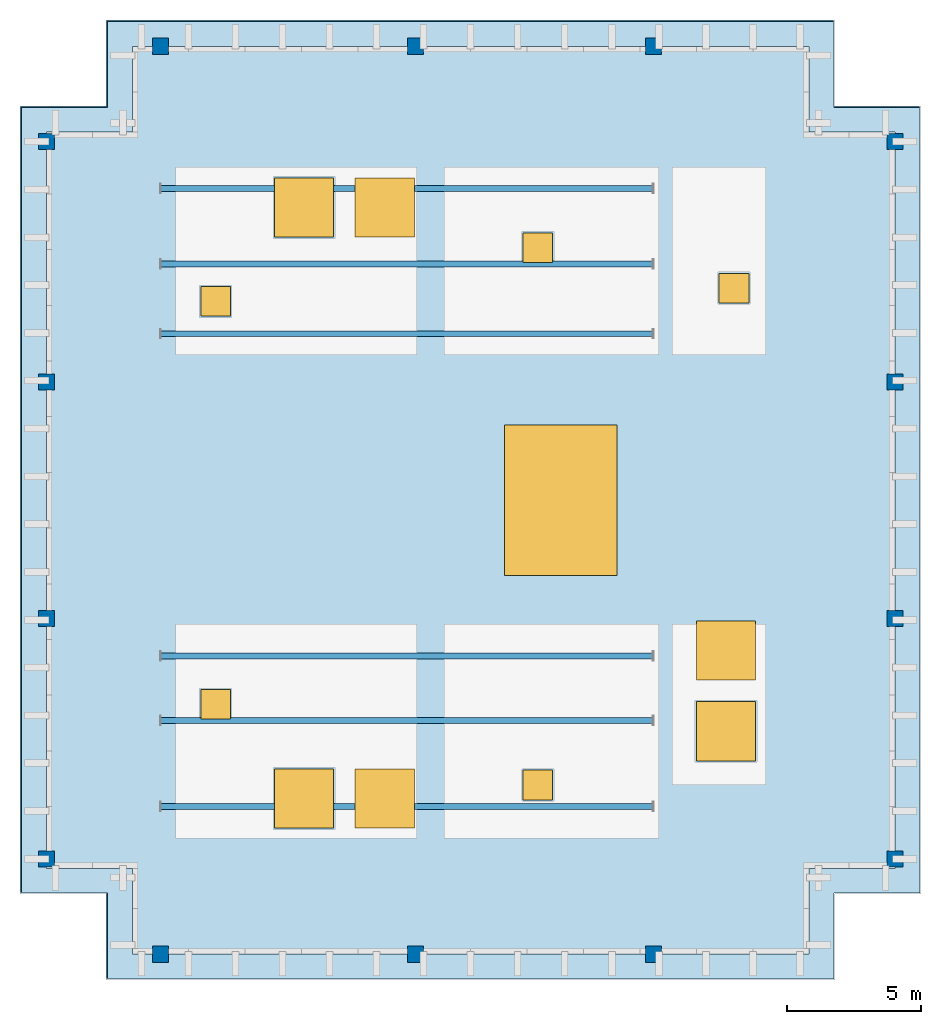
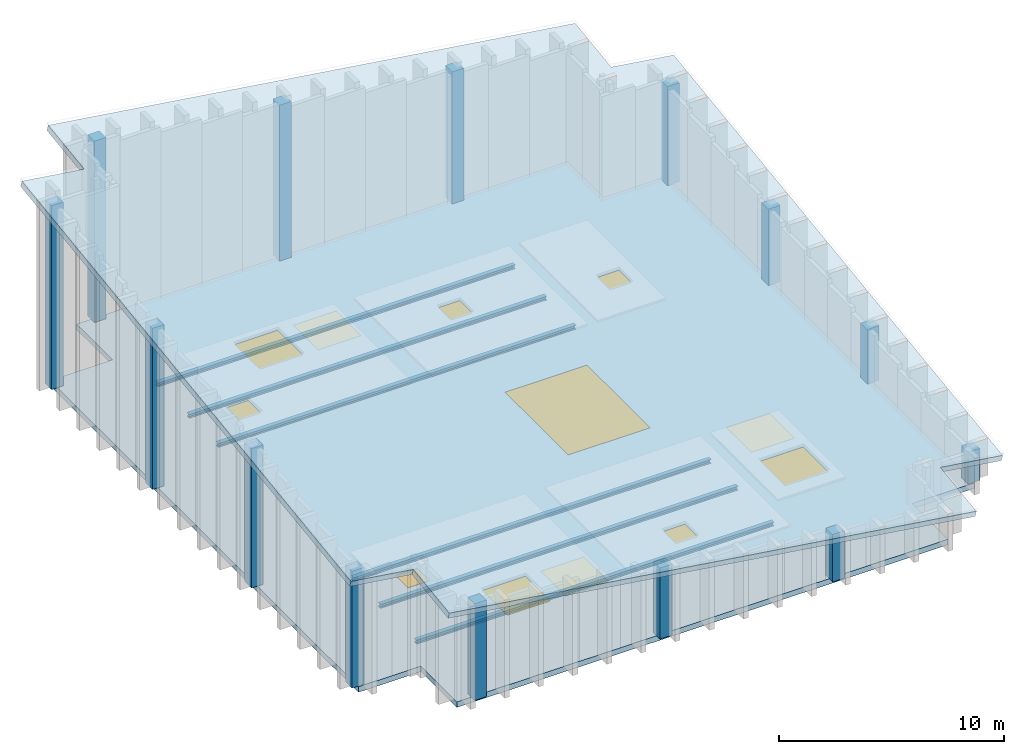
"""IFC4 building model written with IfcOpenShell, lengths in metres."""

from ifc_helpers import new_model, si_unit, direction, frame, origin, origin_2d, place, context, subcontext, project, spatial, polyline, rectangle, i_section, outline, extrude, material, layer, layer_set, material_profile, profile_set, type_object, element, fill, save


model = new_model("IFC4")

# Units and contexts
model_context = context("Model", 3, precision=1e-05, world=origin(), true_north=direction((0.0, 1.0)))
body_context = subcontext(model_context, "Body", "Model", "MODEL_VIEW")
ifc_project = project(units=[si_unit("LENGTHUNIT", "METRE"), si_unit("AREAUNIT", "SQUARE_METRE"), si_unit("VOLUMEUNIT", "CUBIC_METRE"), si_unit("PLANEANGLEUNIT", "RADIAN"), si_unit("MASSUNIT", "GRAM", prefix="KILO")], contexts=[model_context])

# Site, building, storey
site_placement = place(None, origin())
site = spatial("IfcSite", under=ifc_project, at=site_placement, CompositionType="ELEMENT")
building_placement = place(site_placement, origin())
building = spatial("IfcBuilding", under=site, at=building_placement, Name="Kundavana Baori Tower", CompositionType="ELEMENT")
storey_1_placement = place(building_placement, frame((0.0, 0.0, 368.39990234375)))
storey_1 = spatial("IfcBuildingStorey", under=building, at=storey_1_placement, Name="L89", CompositionType="ELEMENT", Elevation=368.39990234375)

# Columns
ifc_material_1 = material(Name="Concrete C50/60", Category="concrete")
ifc_material_profile_1 = material_profile(ifc_material_1, rectangle(XDim=0.60009765625, YDim=0.60009765625, at=origin_2d()), Name="RC PF 600x600")
ifc_profile_set_1 = profile_set([ifc_material_profile_1], Name="Concrete C50/60")
column_type = type_object("IfcColumnType", Name="COL-PF-600", PredefinedType="COLUMN", material=ifc_profile_set_1)
column_1_placement = place(storey_1_placement, frame((15.449951171875, 11.699951171875, 0.0), z_axis=(0.0, 0.0, 1.0), x_axis=(1.0, 0.0, 0.0)))
element("IfcColumn", 1, at=column_1_placement, inside=storey_1, type_object=column_type, Name="L89 Crown Sail Structural Column PF-S1", PredefinedType="COLUMN", context=body_context, shape_type="SweptSolid", body=[
    extrude(rectangle(XDim=0.60009765625, YDim=0.60009765625, at=origin_2d()), origin(), (0.0, 0.0, 1.0), 5.2314453125),
])
column_2_placement = place(storey_1_placement, frame((15.449951171875, 45.5, 0.0), z_axis=(0.0, 0.0, 1.0), x_axis=(1.0, 0.0, 0.0)))
element("IfcColumn", 2, at=column_2_placement, inside=storey_1, type_object=column_type, Name="L89 Crown Sail Structural Column PF-N1", PredefinedType="COLUMN", context=body_context, shape_type="SweptSolid", body=[
    extrude(rectangle(XDim=0.60009765625, YDim=0.60009765625, at=origin_2d()), origin(), (0.0, 0.0, 1.0), 9.831298828125),
])
column_3_placement = place(storey_1_placement, frame((24.949951171875, 11.699951171875, 0.0), z_axis=(0.0, 0.0, 1.0), x_axis=(1.0, 0.0, 0.0)))
element("IfcColumn", 3, at=column_3_placement, inside=storey_1, type_object=column_type, Name="L89 Crown Sail Structural Column PF-S2", PredefinedType="COLUMN", context=body_context, shape_type="SweptSolid", body=[
    extrude(rectangle(XDim=0.60009765625, YDim=0.60009765625, at=origin_2d()), origin(), (0.0, 0.0, 1.0), 3.848388671875),
])
column_4_placement = place(storey_1_placement, frame((24.949951171875, 45.5, 0.0), z_axis=(0.0, 0.0, 1.0), x_axis=(1.0, 0.0, 0.0)))
element("IfcColumn", 4, at=column_4_placement, inside=storey_1, type_object=column_type, Name="L89 Crown Sail Structural Column PF-N2", PredefinedType="COLUMN", context=body_context, shape_type="SweptSolid", body=[
    extrude(rectangle(XDim=0.60009765625, YDim=0.60009765625, at=origin_2d()), origin(), (0.0, 0.0, 1.0), 8.448486328125),
])
column_5_placement = place(storey_1_placement, frame((33.800048828125, 11.699951171875, 0.0), z_axis=(0.0, 0.0, 1.0), x_axis=(1.0, 0.0, 0.0)))
element("IfcColumn", 5, at=column_5_placement, inside=storey_1, type_object=column_type, Name="L89 Crown Sail Structural Column PF-S3", PredefinedType="COLUMN", context=body_context, shape_type="SweptSolid", body=[
    extrude(rectangle(XDim=0.60009765625, YDim=0.60009765625, at=origin_2d()), origin(), (0.0, 0.0, 1.0), 2.560302734375),
])
column_6_placement = place(storey_1_placement, frame((33.800048828125, 45.5, 0.0), z_axis=(0.0, 0.0, 1.0), x_axis=(1.0, 0.0, 0.0)))
element("IfcColumn", 6, at=column_6_placement, inside=storey_1, type_object=column_type, Name="L89 Crown Sail Structural Column PF-N3", PredefinedType="COLUMN", context=body_context, shape_type="SweptSolid", body=[
    extrude(rectangle(XDim=0.60009765625, YDim=0.60009765625, at=origin_2d()), origin(), (0.0, 0.0, 1.0), 7.16015625),
])
column_7_placement = place(storey_1_placement, frame((11.199951171875, 15.25, 0.0), z_axis=(0.0, 0.0, 1.0), x_axis=(1.0, 0.0, 0.0)))
element("IfcColumn", 7, at=column_7_placement, inside=storey_1, type_object=column_type, Name="L89 Crown Sail Structural Column PF-W1", PredefinedType="COLUMN", context=body_context, shape_type="SweptSolid", body=[
    extrude(rectangle(XDim=0.60009765625, YDim=0.60009765625, at=origin_2d()), origin(), (0.0, 0.0, 1.0), 6.333251953125),
])
column_8_placement = place(storey_1_placement, frame((42.800048828125, 15.25, 0.0), z_axis=(0.0, 0.0, 1.0), x_axis=(1.0, 0.0, 0.0)))
element("IfcColumn", 8, at=column_8_placement, inside=storey_1, type_object=column_type, Name="L89 Crown Sail Structural Column PF-E1", PredefinedType="COLUMN", context=body_context, shape_type="SweptSolid", body=[
    extrude(rectangle(XDim=0.60009765625, YDim=0.60009765625, at=origin_2d()), origin(), (0.0, 0.0, 1.0), 1.733154296875),
])
column_9_placement = place(storey_1_placement, frame((11.199951171875, 24.199951171875, 0.0), z_axis=(0.0, 0.0, 1.0), x_axis=(1.0, 0.0, 0.0)))
element("IfcColumn", 9, at=column_9_placement, inside=storey_1, type_object=column_type, Name="L89 Crown Sail Structural Column PF-W2", PredefinedType="COLUMN", context=body_context, shape_type="SweptSolid", body=[
    extrude(rectangle(XDim=0.60009765625, YDim=0.60009765625, at=origin_2d()), origin(), (0.0, 0.0, 1.0), 7.55126953125),
])
column_10_placement = place(storey_1_placement, frame((42.800048828125, 24.199951171875, 0.0), z_axis=(0.0, 0.0, 1.0), x_axis=(1.0, 0.0, 0.0)))
element("IfcColumn", 10, at=column_10_placement, inside=storey_1, type_object=column_type, Name="L89 Crown Sail Structural Column PF-E2", PredefinedType="COLUMN", context=body_context, shape_type="SweptSolid", body=[
    extrude(rectangle(XDim=0.60009765625, YDim=0.60009765625, at=origin_2d()), origin(), (0.0, 0.0, 1.0), 2.951416015625),
])
column_11_placement = place(storey_1_placement, frame((11.199951171875, 33.0, 0.0), z_axis=(0.0, 0.0, 1.0), x_axis=(1.0, 0.0, 0.0)))
element("IfcColumn", 11, at=column_11_placement, inside=storey_1, type_object=column_type, Name="L89 Crown Sail Structural Column PF-W3", PredefinedType="COLUMN", context=body_context, shape_type="SweptSolid", body=[
    extrude(rectangle(XDim=0.60009765625, YDim=0.60009765625, at=origin_2d()), origin(), (0.0, 0.0, 1.0), 8.748779296875),
])
column_12_placement = place(storey_1_placement, frame((42.800048828125, 33.0, 0.0), z_axis=(0.0, 0.0, 1.0), x_axis=(1.0, 0.0, 0.0)))
element("IfcColumn", 12, at=column_12_placement, inside=storey_1, type_object=column_type, Name="L89 Crown Sail Structural Column PF-E3", PredefinedType="COLUMN", context=body_context, shape_type="SweptSolid", body=[
    extrude(rectangle(XDim=0.60009765625, YDim=0.60009765625, at=origin_2d()), origin(), (0.0, 0.0, 1.0), 4.14892578125),
])
column_13_placement = place(storey_1_placement, frame((11.199951171875, 41.949951171875, 0.0), z_axis=(0.0, 0.0, 1.0), x_axis=(1.0, 0.0, 0.0)))
element("IfcColumn", 13, at=column_13_placement, inside=storey_1, type_object=column_type, Name="L89 Crown Sail Structural Column PF-W4", PredefinedType="COLUMN", context=body_context, shape_type="SweptSolid", body=[
    extrude(rectangle(XDim=0.60009765625, YDim=0.60009765625, at=origin_2d()), origin(), (0.0, 0.0, 1.0), 9.967041015625),
])
column_14_placement = place(storey_1_placement, frame((42.800048828125, 41.949951171875, 0.0), z_axis=(0.0, 0.0, 1.0), x_axis=(1.0, 0.0, 0.0)))
element("IfcColumn", 14, at=column_14_placement, inside=storey_1, type_object=column_type, Name="L89 Crown Sail Structural Column PF-E4", PredefinedType="COLUMN", context=body_context, shape_type="SweptSolid", body=[
    extrude(rectangle(XDim=0.60009765625, YDim=0.60009765625, at=origin_2d()), origin(), (0.0, 0.0, 1.0), 5.366943359375),
])

# Members
ifc_material_2 = material(Name="Structural Steel S355JR", Category="steel")
ifc_material_profile_2 = material_profile(ifc_material_2, i_section(OverallWidth=0.219970703125, OverallDepth=0.219970703125, WebThickness=0.009521484375, FlangeThickness=0.01611328125, FilletRadius=0.01806640625, at=origin_2d()), Name="WPB 220x220x71")
ifc_profile_set_2 = profile_set([ifc_material_profile_2], Name="Structural Steel S355JR")
member_type = type_object("IfcMemberType", Name="MEM-CRN-220", PredefinedType="PURLIN", material=ifc_profile_set_2)
for number, where, z_axis, x_axis, name in (
    (15, (15.449951171875, 17.199951171875, -0.409912109375), (1.0, 0.0, 0.0), (0.0, 1.0, 0.0), "L89 Crown Roof Steel Purlin 1"),
    (16, (15.449951171875, 20.39990234375, -0.409912109375), (1.0, 0.0, 0.0), (0.0, 1.0, 0.0), "L89 Crown Roof Steel Purlin 2"),
    (17, (15.449951171875, 22.800048828125, -0.409912109375), (1.0, 0.0, 0.0), (0.0, 1.0, 0.0), "L89 Crown Roof Steel Purlin 3"),
    (18, (15.449951171875, 34.800048828125, -0.409912109375), (1.0, 0.0, 0.0), (0.0, 1.0, 0.0), "L89 Crown Roof Steel Purlin 4"),
    (19, (15.449951171875, 37.39990234375, -0.409912109375), (1.0, 0.0, 0.0), (0.0, 1.0, 0.0), "L89 Crown Roof Steel Purlin 5"),
    (20, (15.449951171875, 40.199951171875, -0.409912109375), (1.0, 0.0, 0.0), (0.0, 1.0, 0.0), "L89 Crown Roof Steel Purlin 6"),
):
    element("IfcMember", number, at=place(storey_1_placement, frame(where, z_axis=z_axis, x_axis=x_axis)), inside=storey_1, type_object=member_type, Name=name, PredefinedType="PURLIN", context=body_context, shape_type="SweptSolid", body=[
        extrude(i_section(OverallWidth=0.219970703125, OverallDepth=0.219970703125, WebThickness=0.009521484375, FlangeThickness=0.01611328125, FilletRadius=0.01806640625, at=origin_2d()), origin(), (0.0, 0.0, 1.0), 18.35009765625),
    ])

# Slab, openings
ifc_material_3 = material(Name="Concrete C40/50", Category="concrete")
ifc_layer = layer(ifc_material_3, 0.300048828125, Name="SLB-ROOF-300")
ifc_layer_set = layer_set([ifc_layer], Name="Concrete C40/50")
slab_type = type_object("IfcSlabType", Name="SLB-ROOF-300", PredefinedType="ROOF", material=ifc_layer_set)
slab_1_placement = place(storey_1_placement, frame((0.0, 0.0, -0.2998046875)))
slab_1 = element("IfcSlab", 21, at=slab_1_placement, inside=storey_1, type_object=slab_type, Name="L89 Crown Crest Enclosed Roof Deck", PredefinedType="ROOF", context=body_context, shape_type="SweptSolid", body=[
    extrude(outline(polyline([(14.39990234375, 11.699951171875), (39.60009765625, 11.699951171875), (39.60009765625, 14.89990234375), (42.800048828125, 14.89990234375), (42.800048828125, 42.300048828125), (39.60009765625, 42.300048828125), (39.60009765625, 45.5), (14.39990234375, 45.5), (14.39990234375, 42.300048828125), (11.199951171875, 42.300048828125), (11.199951171875, 14.89990234375), (14.39990234375, 14.89990234375), (14.39990234375, 11.699951171875)])), origin(), (0.0, 0.0, 1.0), 0.2998046875),
])
opening_1_placement = place(slab_1_placement, frame((30.35009765625, 28.60009765625, 0.0)))
opening_1 = element("IfcOpeningElement", 22, at=opening_1_placement, cuts=slab_1, Name="Opening SK-2", PredefinedType="OPENING", context=body_context, shape_type="SweptSolid", body=[
    extrude(rectangle(XDim=4.199951171875, YDim=5.60009765625, at=origin_2d()), frame((0.0, 0.0, -0.010009765625)), (0.0, 0.0, 1.0), 0.31982421875),
])
opening_2_placement = place(slab_1_placement, frame((20.800048828125, 17.5, 0.0)))
opening_2 = element("IfcOpeningElement", 23, at=opening_2_placement, cuts=slab_1, Name="Opening SK-1", PredefinedType="OPENING", context=body_context, shape_type="SweptSolid", body=[
    extrude(rectangle(XDim=2.199951171875, YDim=2.199951171875, at=origin_2d()), frame((0.0, 0.0, -0.010009765625)), (0.0, 0.0, 1.0), 0.31982421875),
])
opening_3_placement = place(slab_1_placement, frame((23.800048828125, 17.5, 0.0)))
opening_3 = element("IfcOpeningElement", 24, at=opening_3_placement, cuts=slab_1, Name="Opening SK-1", PredefinedType="OPENING", context=body_context, shape_type="SweptSolid", body=[
    extrude(rectangle(XDim=2.199951171875, YDim=2.199951171875, at=origin_2d()), frame((0.0, 0.0, -0.010009765625)), (0.0, 0.0, 1.0), 0.31982421875),
])
opening_4_placement = place(slab_1_placement, frame((20.800048828125, 39.5, 0.0)))
opening_4 = element("IfcOpeningElement", 25, at=opening_4_placement, cuts=slab_1, Name="Opening SK-1", PredefinedType="OPENING", context=body_context, shape_type="SweptSolid", body=[
    extrude(rectangle(XDim=2.199951171875, YDim=2.199951171875, at=origin_2d()), frame((0.0, 0.0, -0.010009765625)), (0.0, 0.0, 1.0), 0.31982421875),
])
opening_5_placement = place(slab_1_placement, frame((23.800048828125, 39.5, 0.0)))
opening_5 = element("IfcOpeningElement", 26, at=opening_5_placement, cuts=slab_1, Name="Opening SK-1", PredefinedType="OPENING", context=body_context, shape_type="SweptSolid", body=[
    extrude(rectangle(XDim=2.199951171875, YDim=2.199951171875, at=origin_2d()), frame((0.0, 0.0, -0.010009765625)), (0.0, 0.0, 1.0), 0.31982421875),
])
opening_6_placement = place(slab_1_placement, frame((36.5, 20.0, 0.0)))
opening_6 = element("IfcOpeningElement", 27, at=opening_6_placement, cuts=slab_1, Name="Opening SK-1", PredefinedType="OPENING", context=body_context, shape_type="SweptSolid", body=[
    extrude(rectangle(XDim=2.199951171875, YDim=2.199951171875, at=origin_2d()), frame((0.0, 0.0, -0.010009765625)), (0.0, 0.0, 1.0), 0.31982421875),
])
opening_7_placement = place(slab_1_placement, frame((36.5, 23.0, 0.0)))
opening_7 = element("IfcOpeningElement", 28, at=opening_7_placement, cuts=slab_1, Name="Opening SK-1", PredefinedType="OPENING", context=body_context, shape_type="SweptSolid", body=[
    extrude(rectangle(XDim=2.199951171875, YDim=2.199951171875, at=origin_2d()), frame((0.0, 0.0, -0.010009765625)), (0.0, 0.0, 1.0), 0.31982421875),
])
opening_8_placement = place(slab_1_placement, frame((17.5, 21.0, 0.0)))
opening_8 = element("IfcOpeningElement", 29, at=opening_8_placement, cuts=slab_1, Name="Opening RH-1", PredefinedType="OPENING", context=body_context, shape_type="SweptSolid", body=[
    extrude(rectangle(XDim=1.10009765625, YDim=1.10009765625, at=origin_2d()), frame((0.0, 0.0, -0.010009765625)), (0.0, 0.0, 1.0), 0.31982421875),
])
opening_9_placement = place(slab_1_placement, frame((17.5, 36.0, 0.0)))
opening_9 = element("IfcOpeningElement", 30, at=opening_9_placement, cuts=slab_1, Name="Opening RH-1", PredefinedType="OPENING", context=body_context, shape_type="SweptSolid", body=[
    extrude(rectangle(XDim=1.10009765625, YDim=1.10009765625, at=origin_2d()), frame((0.0, 0.0, -0.010009765625)), (0.0, 0.0, 1.0), 0.31982421875),
])
opening_10_placement = place(slab_1_placement, frame((29.5, 18.0, 0.0)))
opening_10 = element("IfcOpeningElement", 31, at=opening_10_placement, cuts=slab_1, Name="Opening RH-1", PredefinedType="OPENING", context=body_context, shape_type="SweptSolid", body=[
    extrude(rectangle(XDim=1.10009765625, YDim=1.10009765625, at=origin_2d()), frame((0.0, 0.0, -0.010009765625)), (0.0, 0.0, 1.0), 0.31982421875),
])
opening_11_placement = place(slab_1_placement, frame((29.5, 38.0, 0.0)))
opening_11 = element("IfcOpeningElement", 32, at=opening_11_placement, cuts=slab_1, Name="Opening RH-1", PredefinedType="OPENING", context=body_context, shape_type="SweptSolid", body=[
    extrude(rectangle(XDim=1.10009765625, YDim=1.10009765625, at=origin_2d()), frame((0.0, 0.0, -0.010009765625)), (0.0, 0.0, 1.0), 0.31982421875),
])
opening_12_placement = place(slab_1_placement, frame((36.800048828125, 36.5, 0.0)))
opening_12 = element("IfcOpeningElement", 33, at=opening_12_placement, cuts=slab_1, Name="Opening RH-1", PredefinedType="OPENING", context=body_context, shape_type="SweptSolid", body=[
    extrude(rectangle(XDim=1.10009765625, YDim=1.10009765625, at=origin_2d()), frame((0.0, 0.0, -0.010009765625)), (0.0, 0.0, 1.0), 0.31982421875),
])

# Storey
storey_2_placement = place(building_placement, frame((0.0, 0.0, 354.699951171875)))
storey_2 = spatial("IfcBuildingStorey", under=building, at=storey_2_placement, Name="L88", CompositionType="ELEMENT", Elevation=354.699951171875)

# Door
ifc_material_4 = material(Name="Architectural Patinated Bronze Metalwork")
door_type = type_object("IfcDoorType", Name="DR-ROOF-TRAP-1100", OperationType="NOTDEFINED", PredefinedType="TRAPDOOR", material=ifc_material_4)
door_1_placement = place(opening_8_placement, frame((0.0, 0.0, 0.249755859375)))
door_1 = element("IfcDoor", 34, at=door_1_placement, inside=storey_2, type_object=door_type, Name="L88 Roof Maintenance Access Hatch RH-1", OperationType="SINGLE_SWING_LEFT", OverallHeight=1.10009765625, OverallWidth=1.10009765625, PredefinedType="TRAPDOOR", context=body_context, shape_type="SweptSolid", body=[
    extrude(rectangle(XDim=1.10009765625, YDim=1.10009765625, at=origin_2d()), origin(), (0.0, 0.0, 1.0), 0.050048828125),
])

fill(opening_8, door_1)

door_2_placement = place(opening_9_placement, frame((0.0, 0.0, 0.249755859375)))
door_2 = element("IfcDoor", 35, at=door_2_placement, inside=storey_2, type_object=door_type, Name="L88 Roof Maintenance Access Hatch RH-2", OperationType="SINGLE_SWING_LEFT", OverallHeight=1.10009765625, OverallWidth=1.10009765625, PredefinedType="TRAPDOOR", context=body_context, shape_type="SweptSolid", body=[
    extrude(rectangle(XDim=1.10009765625, YDim=1.10009765625, at=origin_2d()), origin(), (0.0, 0.0, 1.0), 0.050048828125),
])

fill(opening_9, door_2)

door_3_placement = place(opening_10_placement, frame((0.0, 0.0, 0.249755859375)))
door_3 = element("IfcDoor", 36, at=door_3_placement, inside=storey_2, type_object=door_type, Name="L88 Roof Maintenance Access Hatch RH-3", OperationType="SINGLE_SWING_LEFT", OverallHeight=1.10009765625, OverallWidth=1.10009765625, PredefinedType="TRAPDOOR", context=body_context, shape_type="SweptSolid", body=[
    extrude(rectangle(XDim=1.10009765625, YDim=1.10009765625, at=origin_2d()), origin(), (0.0, 0.0, 1.0), 0.050048828125),
])

fill(opening_10, door_3)

door_4_placement = place(opening_11_placement, frame((0.0, 0.0, 0.249755859375)))
door_4 = element("IfcDoor", 37, at=door_4_placement, inside=storey_2, type_object=door_type, Name="L88 Roof Maintenance Access Hatch RH-4", OperationType="SINGLE_SWING_LEFT", OverallHeight=1.10009765625, OverallWidth=1.10009765625, PredefinedType="TRAPDOOR", context=body_context, shape_type="SweptSolid", body=[
    extrude(rectangle(XDim=1.10009765625, YDim=1.10009765625, at=origin_2d()), origin(), (0.0, 0.0, 1.0), 0.050048828125),
])

fill(opening_11, door_4)

door_5_placement = place(opening_12_placement, frame((0.0, 0.0, 0.249755859375)))
door_5 = element("IfcDoor", 38, at=door_5_placement, inside=storey_2, type_object=door_type, Name="L88 Roof Maintenance Access Hatch RH-5", OperationType="SINGLE_SWING_LEFT", OverallHeight=1.10009765625, OverallWidth=1.10009765625, PredefinedType="TRAPDOOR", context=body_context, shape_type="SweptSolid", body=[
    extrude(rectangle(XDim=1.10009765625, YDim=1.10009765625, at=origin_2d()), origin(), (0.0, 0.0, 1.0), 0.050048828125),
])

fill(opening_12, door_5)

# Window
ifc_material_5 = material(Name="Double-Glazed Solar-Control Low-E Insulated Glass", Category="glass")
window_type_1 = type_object("IfcWindowType", Name="WIN-SKY-2200x2200", PartitioningType="SINGLE_PANEL", PredefinedType="SKYLIGHT", material=ifc_material_5)
window_1_placement = place(opening_2_placement, frame((0.0, 0.0, 0.249755859375)))
window_1 = element("IfcWindow", 39, at=window_1_placement, inside=storey_1, type_object=window_type_1, Name="L89 Crown Roof Skylight SK-1", OverallHeight=2.199951171875, OverallWidth=2.199951171875, PartitioningType="SINGLE_PANEL", PredefinedType="SKYLIGHT", context=body_context, shape_type="SweptSolid", body=[
    extrude(rectangle(XDim=2.199951171875, YDim=2.199951171875, at=origin_2d()), origin(), (0.0, 0.0, 1.0), 0.050048828125),
])

fill(opening_2, window_1)

window_2_placement = place(opening_3_placement, frame((0.0, 0.0, 0.249755859375)))
window_2 = element("IfcWindow", 40, at=window_2_placement, inside=storey_1, type_object=window_type_1, Name="L89 Crown Roof Skylight SK-2", OverallHeight=2.199951171875, OverallWidth=2.199951171875, PartitioningType="SINGLE_PANEL", PredefinedType="SKYLIGHT", context=body_context, shape_type="SweptSolid", body=[
    extrude(rectangle(XDim=2.199951171875, YDim=2.199951171875, at=origin_2d()), origin(), (0.0, 0.0, 1.0), 0.050048828125),
])

fill(opening_3, window_2)

window_3_placement = place(opening_4_placement, frame((0.0, 0.0, 0.249755859375)))
window_3 = element("IfcWindow", 41, at=window_3_placement, inside=storey_1, type_object=window_type_1, Name="L89 Crown Roof Skylight SK-3", OverallHeight=2.199951171875, OverallWidth=2.199951171875, PartitioningType="SINGLE_PANEL", PredefinedType="SKYLIGHT", context=body_context, shape_type="SweptSolid", body=[
    extrude(rectangle(XDim=2.199951171875, YDim=2.199951171875, at=origin_2d()), origin(), (0.0, 0.0, 1.0), 0.050048828125),
])

fill(opening_4, window_3)

window_4_placement = place(opening_5_placement, frame((0.0, 0.0, 0.249755859375)))
window_4 = element("IfcWindow", 42, at=window_4_placement, inside=storey_1, type_object=window_type_1, Name="L89 Crown Roof Skylight SK-4", OverallHeight=2.199951171875, OverallWidth=2.199951171875, PartitioningType="SINGLE_PANEL", PredefinedType="SKYLIGHT", context=body_context, shape_type="SweptSolid", body=[
    extrude(rectangle(XDim=2.199951171875, YDim=2.199951171875, at=origin_2d()), origin(), (0.0, 0.0, 1.0), 0.050048828125),
])

fill(opening_5, window_4)

window_5_placement = place(opening_6_placement, frame((0.0, 0.0, 0.249755859375)))
window_5 = element("IfcWindow", 43, at=window_5_placement, inside=storey_1, type_object=window_type_1, Name="L89 Crown Roof Skylight SK-5", OverallHeight=2.199951171875, OverallWidth=2.199951171875, PartitioningType="SINGLE_PANEL", PredefinedType="SKYLIGHT", context=body_context, shape_type="SweptSolid", body=[
    extrude(rectangle(XDim=2.199951171875, YDim=2.199951171875, at=origin_2d()), origin(), (0.0, 0.0, 1.0), 0.050048828125),
])

fill(opening_6, window_5)

window_6_placement = place(opening_7_placement, frame((0.0, 0.0, 0.249755859375)))
window_6 = element("IfcWindow", 44, at=window_6_placement, inside=storey_1, type_object=window_type_1, Name="L89 Crown Roof Skylight SK-6", OverallHeight=2.199951171875, OverallWidth=2.199951171875, PartitioningType="SINGLE_PANEL", PredefinedType="SKYLIGHT", context=body_context, shape_type="SweptSolid", body=[
    extrude(rectangle(XDim=2.199951171875, YDim=2.199951171875, at=origin_2d()), origin(), (0.0, 0.0, 1.0), 0.050048828125),
])

fill(opening_7, window_6)

ifc_material_6 = material(Name="Double-Glazed Solar-Control Low-E Insulated Glass", Category="glass")
window_type_2 = type_object("IfcWindowType", Name="WIN-SKY-4200x5600", PartitioningType="SINGLE_PANEL", PredefinedType="SKYLIGHT", material=ifc_material_6)
window_7_placement = place(opening_1_placement, frame((0.0, 0.0, 0.249755859375)))
window_7 = element("IfcWindow", 45, at=window_7_placement, inside=storey_1, type_object=window_type_2, Name="L89 Central Atrium Lantern Roof Skylight SK-ATR", OverallHeight=5.60009765625, OverallWidth=4.199951171875, PartitioningType="SINGLE_PANEL", PredefinedType="SKYLIGHT", context=body_context, shape_type="SweptSolid", body=[
    extrude(rectangle(XDim=4.199951171875, YDim=5.60009765625, at=origin_2d()), origin(), (0.0, 0.0, 1.0), 0.050048828125),
])

fill(opening_1, window_7)

# Slab
slab_2_placement = place(storey_1_placement, frame((13.47998046875, 10.780029296875, 5.693115234375), z_axis=(0.142761570688, -0.133468785706, 0.980716685479), x_axis=(0.989570345119, -4.70557e-07, -0.144050449709)))
element("IfcSlab", 46, at=slab_2_placement, inside=storey_1, type_object=slab_type, Name="L89 Sloped Notched-Polygon Sail Closing Roof Slab", PredefinedType="ROOF", context=body_context, shape_type="SweptSolid", body=[
    extrude(outline(polyline([(0.0, 0.0), (27.32504358999729, 0.0), (27.26230136102389, 3.22884685180959), (30.49597977203855, 3.228847350529048), (29.92275354229248, 32.73279379167664), (26.68907513127782, 32.73279329295718), (26.626332902304426, 35.961640144766776), (-0.698710687692864, 35.96164014476678), (-0.6359684587194672, 32.73279329295719), (-3.8696468697341255, 32.732792794237724), (-3.2963854714212313, 3.22881410780567), (-0.0627070604065732, 3.2288146065251278), (0.0, 0.0)])), origin(), (0.0, 0.0, -1.0), 0.300048828125),
])

save(model, "model.ifc")
